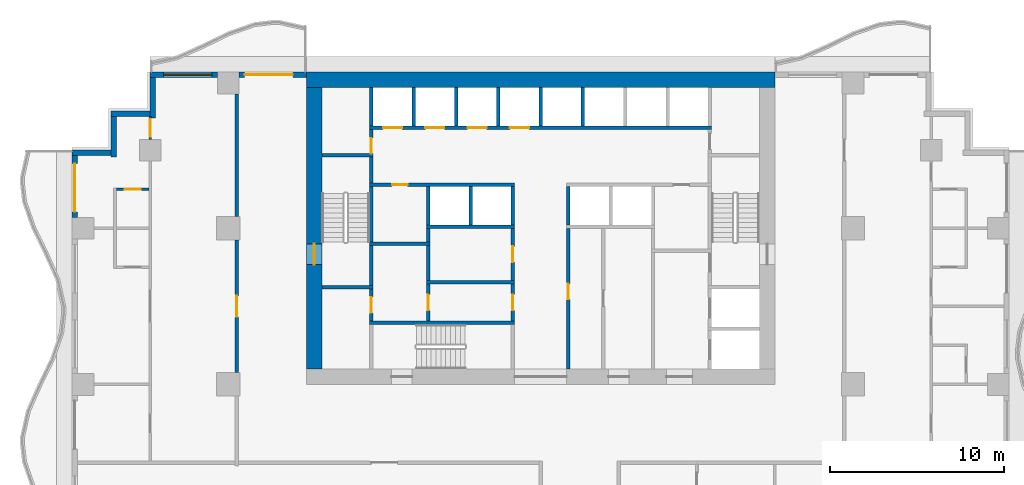
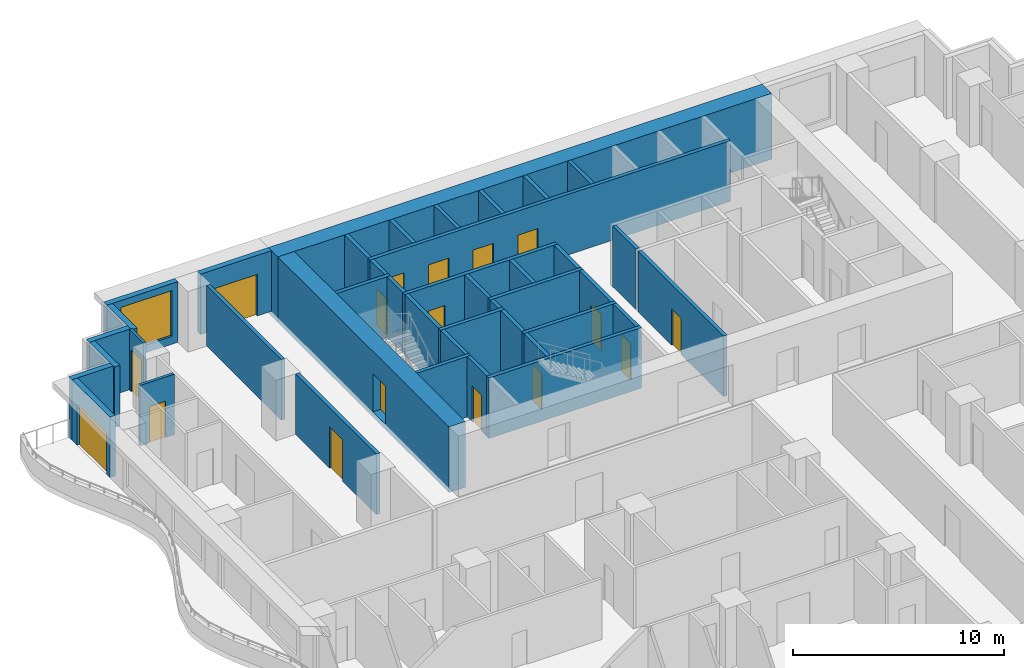
# One storey, part 5 of 14: 42 walls, 17 doors, 1 window, 18 openings.
"""IFC4 building model written with IfcOpenShell, lengths in metres."""

from ifc_helpers import new_model, si_unit, direction, frame, frame_2d, origin, place, context, subcontext, project, spatial, rectangle, extrude, material, layer, layer_set, type_object, element, fill, save


model = new_model("IFC4")

# Units and contexts
model_context = context("Model", 3, precision=1e-05, world=origin(), true_north=direction((0.0, 1.0)))
body_context = subcontext(model_context, "Body", "Model", "MODEL_VIEW")
ifc_project = project(units=[si_unit("LENGTHUNIT", "METRE"), si_unit("AREAUNIT", "SQUARE_METRE"), si_unit("VOLUMEUNIT", "CUBIC_METRE"), si_unit("PLANEANGLEUNIT", "RADIAN"), si_unit("MASSUNIT", "GRAM", prefix="KILO")], contexts=[model_context])

# Site, building, storey
site_placement = place(None, origin())
site = spatial("IfcSite", under=ifc_project, at=site_placement, CompositionType="ELEMENT")
building_placement = place(site_placement, origin())
building = spatial("IfcBuilding", under=site, at=building_placement, Name="Orbiselva Terraces", CompositionType="ELEMENT")
storey_placement = place(building_placement, frame((0.0, 0.0, 111.2)))
storey = spatial("IfcBuildingStorey", under=building, at=storey_placement, Name="L28", CompositionType="ELEMENT", Elevation=111.2)

# Wall, opening, door
ifc_material_1 = material(Name="Concrete C80/95", Category="concrete")
ifc_layer_1 = layer(ifc_material_1, 0.9)
ifc_layer_set_1 = layer_set([ifc_layer_1], Name="Concrete C80/95")
wall_type_1 = type_object("IfcWallType", Name="CORE WALL 900", PredefinedType="SHEAR", material=ifc_layer_set_1)
wall_1_placement = place(storey_placement, frame((-13.05, 21.6, -0.3), z_axis=(0.0, 0.0, 1.0), x_axis=(0.0, -1.0, 0.0)))
wall_1 = element("IfcWall", 1, at=wall_1_placement, inside=storey, type_object=wall_type_1, Name="Core wall L28 west", PredefinedType="SHEAR", context=body_context, shape_type="SweptSolid", body=[
    extrude(rectangle(XDim=16.2, YDim=0.9, at=frame_2d((8.1, 0.0))), origin(), (0.0, 0.0, 1.0), 3.8),
])
opening_1_placement = place(wall_1_placement, frame((9.0, 0.0, 0.3)))
opening_1 = element("IfcOpeningElement", 2, at=opening_1_placement, cuts=wall_1, Name="Opening DS1200", PredefinedType="OPENING", context=body_context, shape_type="SweptSolid", body=[
    extrude(rectangle(XDim=1.2, YDim=2.2, at=frame_2d((0.6, 1.1))), frame((0.0, 0.46, 0.0), z_axis=(0.0, -1.0, 0.0), x_axis=(1.0, 0.0, 0.0)), (0.0, 0.0, 1.0), 0.92),
])
ifc_material_2 = material(Name="Steel fire door", Category="steel")
door_type_1 = type_object("IfcDoorType", Name="STAIR DOOR 1200", OperationType="NOTDEFINED", PredefinedType="DOOR", material=ifc_material_2)
door_1_placement = place(opening_1_placement, frame((1.2, 0.0, 0.0), z_axis=(0.0, 0.0, 1.0), x_axis=(-1.0, 0.0, 0.0)))
door_1 = element("IfcDoor", 3, at=door_1_placement, inside=storey, type_object=door_type_1, Name="L28 EXIT STAIR S1 door", OperationType="SINGLE_SWING_RIGHT", OverallHeight=2.2, OverallWidth=1.2, PredefinedType="DOOR", context=body_context, shape_type="SweptSolid", body=[
    extrude(rectangle(XDim=1.2, YDim=2.2, at=frame_2d((0.6, 1.1))), frame((0.0, 0.025, 0.0), z_axis=(0.0, -1.0, 0.0), x_axis=(1.0, 0.0, 0.0)), (0.0, 0.0, 1.0), 0.05),
])
fill(opening_1, door_1)

# Wall
ifc_layer_2 = layer(ifc_material_1, 0.9)
ifc_layer_set_2 = layer_set([ifc_layer_2], Name="Concrete C80/95")
wall_type_2 = type_object("IfcWallType", Name="CORE WALL 900 EXTERNAL", PredefinedType="SHEAR", material=ifc_layer_set_2)
wall_2_placement = place(storey_placement, frame((13.5, 22.05, -0.3), z_axis=(0.0, 0.0, 1.0), x_axis=(-1.0, 0.0, 0.0)))
element("IfcWall", 4, at=wall_2_placement, inside=storey, type_object=wall_type_2, Name="Core wall L28 north", PredefinedType="SHEAR", context=body_context, shape_type="SweptSolid", body=[
    extrude(rectangle(XDim=27.0, YDim=0.9, at=frame_2d((13.5, 0.0))), origin(), (0.0, 0.0, 1.0), 3.8),
])

# Wall, opening, door
ifc_material_3 = material(Name="Masonry blockwork", Category="masonry")
ifc_layer_3 = layer(ifc_material_3, 0.2)
ifc_layer_set_3 = layer_set([ifc_layer_3], Name="Masonry blockwork")
wall_type_3 = type_object("IfcWallType", Name="CORE-WALL-PARTITION-200", PredefinedType="PARTITIONING", material=ifc_layer_set_3)
wall_3_placement = place(storey_placement, frame((-9.75, 8.15, 0.0), z_axis=(0.0, 0.0, 1.0), x_axis=(0.0, 1.0, 0.0)))
wall_3 = element("IfcWall", 5, at=wall_3_placement, inside=storey, type_object=wall_type_3, Name="L28 core wall 05", PredefinedType="PARTITIONING", context=body_context, shape_type="SweptSolid", body=[
    extrude(rectangle(XDim=1.85, YDim=0.2, at=frame_2d((0.925, 0.0))), origin(), (0.0, 0.0, 1.0), 3.5),
])
opening_2_placement = place(wall_3_placement, frame((0.475, 0.0, 0.0)))
opening_2 = element("IfcOpeningElement", 6, at=opening_2_placement, cuts=wall_3, Name="Opening DR900", PredefinedType="OPENING", context=body_context, shape_type="SweptSolid", body=[
    extrude(rectangle(XDim=0.9, YDim=2.1, at=frame_2d((0.45, 1.05))), frame((0.0, 0.11, 0.0), z_axis=(0.0, -1.0, 0.0), x_axis=(1.0, 0.0, 0.0)), (0.0, 0.0, 1.0), 0.22),
])
door_type_2 = type_object("IfcDoorType", Name="ROOM DOOR 900", OperationType="NOTDEFINED", PredefinedType="DOOR", material=ifc_material_2)
door_2_placement = place(opening_2_placement, origin())
door_2 = element("IfcDoor", 7, at=door_2_placement, inside=storey, type_object=door_type_2, Name="L28 CLEANERS STORE door", OperationType="SINGLE_SWING_RIGHT", OverallHeight=2.1, OverallWidth=0.9, PredefinedType="DOOR", context=body_context, shape_type="SweptSolid", body=[
    extrude(rectangle(XDim=0.9, YDim=2.1, at=frame_2d((0.45, 1.05))), frame((0.0, 0.025, 0.0), z_axis=(0.0, -1.0, 0.0), x_axis=(1.0, 0.0, 0.0)), (0.0, 0.0, 1.0), 0.05),
])
fill(opening_2, door_2)

wall_4_placement = place(storey_placement, frame((-9.75, 17.8, 0.0), z_axis=(0.0, 0.0, 1.0), x_axis=(0.0, 1.0, 0.0)))
wall_4 = element("IfcWall", 8, at=wall_4_placement, inside=storey, type_object=wall_type_3, Name="L28 core wall 11", PredefinedType="PARTITIONING", context=body_context, shape_type="SweptSolid", body=[
    extrude(rectangle(XDim=1.4, YDim=0.2, at=frame_2d((0.7, 0.0))), origin(), (0.0, 0.0, 1.0), 3.5),
])
opening_3_placement = place(wall_4_placement, origin())
opening_3 = element("IfcOpeningElement", 9, at=opening_3_placement, cuts=wall_4, Name="Opening DR900", PredefinedType="OPENING", context=body_context, shape_type="SweptSolid", body=[
    extrude(rectangle(XDim=0.9, YDim=2.1, at=frame_2d((0.45, 1.05))), frame((0.0, 0.11, 0.0), z_axis=(0.0, -1.0, 0.0), x_axis=(1.0, 0.0, 0.0)), (0.0, 0.0, 1.0), 0.22),
])
door_3_placement = place(opening_3_placement, origin())
door_3 = element("IfcDoor", 10, at=door_3_placement, inside=storey, type_object=door_type_2, Name="L28 COMMS RISER ROOM door", OperationType="SINGLE_SWING_LEFT", OverallHeight=2.1, OverallWidth=0.9, PredefinedType="DOOR", context=body_context, shape_type="SweptSolid", body=[
    extrude(rectangle(XDim=0.9, YDim=2.1, at=frame_2d((0.45, 1.05))), frame((0.0, 0.025, 0.0), z_axis=(0.0, -1.0, 0.0), x_axis=(1.0, 0.0, 0.0)), (0.0, 0.0, 1.0), 0.05),
])
fill(opening_3, door_3)

wall_5_placement = place(storey_placement, frame((-6.475, 8.15, 0.0), z_axis=(0.0, 0.0, 1.0), x_axis=(0.0, 1.0, 0.0)))
wall_5 = element("IfcWall", 11, at=wall_5_placement, inside=storey, type_object=wall_type_3, Name="L28 core wall 15", PredefinedType="PARTITIONING", context=body_context, shape_type="SweptSolid", body=[
    extrude(rectangle(XDim=2.15, YDim=0.2, at=frame_2d((1.075, 0.0))), origin(), (0.0, 0.0, 1.0), 3.5),
])
opening_4_placement = place(wall_5_placement, frame((0.625, 0.0, 0.0)))
opening_4 = element("IfcOpeningElement", 12, at=opening_4_placement, cuts=wall_5, Name="Opening DR900", PredefinedType="OPENING", context=body_context, shape_type="SweptSolid", body=[
    extrude(rectangle(XDim=0.9, YDim=2.1, at=frame_2d((0.45, 1.05))), frame((0.0, 0.11, 0.0), z_axis=(0.0, -1.0, 0.0), x_axis=(1.0, 0.0, 0.0)), (0.0, 0.0, 1.0), 0.22),
])
door_4_placement = place(opening_4_placement, origin())
door_4 = element("IfcDoor", 13, at=door_4_placement, inside=storey, type_object=door_type_2, Name="L28 STAFF ROOM door", OperationType="SINGLE_SWING_LEFT", OverallHeight=2.1, OverallWidth=0.9, PredefinedType="DOOR", context=body_context, shape_type="SweptSolid", body=[
    extrude(rectangle(XDim=0.9, YDim=2.1, at=frame_2d((0.45, 1.05))), frame((0.0, 0.025, 0.0), z_axis=(0.0, -1.0, 0.0), x_axis=(1.0, 0.0, 0.0)), (0.0, 0.0, 1.0), 0.05),
])
fill(opening_4, door_4)

# Walls
wall_6_placement = place(storey_placement, frame((-6.475, 10.5, 0.0), z_axis=(0.0, 0.0, 1.0), x_axis=(0.0, 1.0, 0.0)))
element("IfcWall", 14, at=wall_6_placement, inside=storey, type_object=wall_type_3, Name="L28 core wall 17", PredefinedType="PARTITIONING", context=body_context, shape_type="SweptSolid", body=[
    extrude(rectangle(XDim=2.0, YDim=0.2, at=frame_2d((1.0, 0.0))), origin(), (0.0, 0.0, 1.0), 3.5),
])
wall_7_placement = place(storey_placement, frame((-6.475, 12.7, 0.0), z_axis=(0.0, 0.0, 1.0), x_axis=(0.0, 1.0, 0.0)))
element("IfcWall", 15, at=wall_7_placement, inside=storey, type_object=wall_type_3, Name="L28 core wall 18", PredefinedType="PARTITIONING", context=body_context, shape_type="SweptSolid", body=[
    extrude(rectangle(XDim=0.8, YDim=0.2, at=frame_2d((0.4, 0.0))), origin(), (0.0, 0.0, 1.0), 3.5),
])

# Wall, opening, door
wall_8_placement = place(storey_placement, frame((-1.6, 8.15, 0.0), z_axis=(0.0, 0.0, 1.0), x_axis=(0.0, 1.0, 0.0)))
wall_8 = element("IfcWall", 16, at=wall_8_placement, inside=storey, type_object=wall_type_3, Name="L28 core wall 25", PredefinedType="PARTITIONING", context=body_context, shape_type="SweptSolid", body=[
    extrude(rectangle(XDim=2.15, YDim=0.2, at=frame_2d((1.075, 0.0))), origin(), (0.0, 0.0, 1.0), 3.5),
])
opening_5_placement = place(wall_8_placement, frame((0.625, 0.0, 0.0)))
opening_5 = element("IfcOpeningElement", 17, at=opening_5_placement, cuts=wall_8, Name="Opening DR900", PredefinedType="OPENING", context=body_context, shape_type="SweptSolid", body=[
    extrude(rectangle(XDim=0.9, YDim=2.1, at=frame_2d((0.45, 1.05))), frame((0.0, 0.11, 0.0), z_axis=(0.0, -1.0, 0.0), x_axis=(1.0, 0.0, 0.0)), (0.0, 0.0, 1.0), 0.22),
])
door_5_placement = place(opening_5_placement, origin())
door_5 = element("IfcDoor", 18, at=door_5_placement, inside=storey, type_object=door_type_2, Name="L28 SERVICE PANTRY door", OperationType="SINGLE_SWING_LEFT", OverallHeight=2.1, OverallWidth=0.9, PredefinedType="DOOR", context=body_context, shape_type="SweptSolid", body=[
    extrude(rectangle(XDim=0.9, YDim=2.1, at=frame_2d((0.45, 1.05))), frame((0.0, 0.025, 0.0), z_axis=(0.0, -1.0, 0.0), x_axis=(1.0, 0.0, 0.0)), (0.0, 0.0, 1.0), 0.05),
])
fill(opening_5, door_5)

wall_9_placement = place(storey_placement, frame((-1.6, 10.5, 0.0), z_axis=(0.0, 0.0, 1.0), x_axis=(0.0, 1.0, 0.0)))
wall_9 = element("IfcWall", 19, at=wall_9_placement, inside=storey, type_object=wall_type_3, Name="L28 core wall 26", PredefinedType="PARTITIONING", context=body_context, shape_type="SweptSolid", body=[
    extrude(rectangle(XDim=3.0, YDim=0.2, at=frame_2d((1.5, 0.0))), origin(), (0.0, 0.0, 1.0), 3.5),
])
opening_6_placement = place(wall_9_placement, frame((1.05, 0.0, 0.0)))
opening_6 = element("IfcOpeningElement", 20, at=opening_6_placement, cuts=wall_9, Name="Opening DR900", PredefinedType="OPENING", context=body_context, shape_type="SweptSolid", body=[
    extrude(rectangle(XDim=0.9, YDim=2.1, at=frame_2d((0.45, 1.05))), frame((0.0, 0.11, 0.0), z_axis=(0.0, -1.0, 0.0), x_axis=(1.0, 0.0, 0.0)), (0.0, 0.0, 1.0), 0.22),
])
door_6_placement = place(opening_6_placement, origin())
door_6 = element("IfcDoor", 21, at=door_6_placement, inside=storey, type_object=door_type_2, Name="L28 LINEN STORE door", OperationType="SINGLE_SWING_RIGHT", OverallHeight=2.1, OverallWidth=0.9, PredefinedType="DOOR", context=body_context, shape_type="SweptSolid", body=[
    extrude(rectangle(XDim=0.9, YDim=2.1, at=frame_2d((0.45, 1.05))), frame((0.0, 0.025, 0.0), z_axis=(0.0, -1.0, 0.0), x_axis=(1.0, 0.0, 0.0)), (0.0, 0.0, 1.0), 0.05),
])
fill(opening_6, door_6)

# Walls
ifc_material_4 = material(Name="Concrete C40/50", Category="concrete")
ifc_layer_4 = layer(ifc_material_4, 0.2)
ifc_layer_set_4 = layer_set([ifc_layer_4], Name="Concrete C40/50")
wall_type_4 = type_object("IfcWallType", Name="CORE-WALL-SHAFT-200", PredefinedType="PARTITIONING", material=ifc_layer_set_4)
for number, where, z_axis, x_axis, name in (
    (22, (-9.75, 19.4, 0.0), (0.0, 0.0, 1.0), (0.0, 1.0, 0.0), "L28 core wall 13"),
    (23, (-7.3125, 19.4, 0.0), (0.0, 0.0, 1.0), (0.0, 1.0, 0.0), "L28 core wall 14"),
    (24, (-6.475, 13.7, 0.0), (0.0, 0.0, 1.0), (0.0, 1.0, 0.0), "L28 core wall 20"),
    (25, (-4.875, 19.4, 0.0), (0.0, 0.0, 1.0), (0.0, 1.0, 0.0), "L28 core wall 21"),
    (26, (-4.0375, 13.7, 0.0), (0.0, 0.0, 1.0), (0.0, 1.0, 0.0), "L28 core wall 22"),
    (27, (-2.4375, 19.4, 0.0), (0.0, 0.0, 1.0), (0.0, 1.0, 0.0), "L28 core wall 23"),
    (28, (-1.6, 13.7, 0.0), (0.0, 0.0, 1.0), (0.0, 1.0, 0.0), "L28 core wall 27"),
    (29, (0.0, 19.4, 0.0), (0.0, 0.0, 1.0), (0.0, 1.0, 0.0), "L28 core wall 28"),
    (30, (1.6, 13.7, 0.0), (0.0, 0.0, 1.0), (0.0, 1.0, 0.0), "L28 core wall 31"),
    (31, (2.4375, 19.4, 0.0), (0.0, 0.0, 1.0), (0.0, 1.0, 0.0), "L28 core wall 33"),
):
    element("IfcWall", number, at=place(storey_placement, frame(where, z_axis=z_axis, x_axis=x_axis)), inside=storey, type_object=wall_type_4, Name=name, PredefinedType="PARTITIONING", context=body_context, shape_type="SweptSolid", body=[
        extrude(rectangle(XDim=2.2, YDim=0.2, at=frame_2d((1.1, 0.0))), origin(), (0.0, 0.0, 1.0), 3.5),
    ])
ifc_material_5 = material(Name="Concrete C60/75", Category="concrete")
ifc_layer_5 = layer(ifc_material_5, 0.2)
ifc_layer_set_5 = layer_set([ifc_layer_5], Name="Concrete C60/75")
wall_type_5 = type_object("IfcWallType", Name="CORE-WALL-SHEAR-200", PredefinedType="SHEAR", material=ifc_layer_set_5)
for number, where, z_axis, x_axis, name in (
    (32, (-12.6, 10.1, 0.0), (0.0, 0.0, 1.0), (1.0, 0.0, 0.0), "L28 core wall 01"),
    (33, (-12.6, 17.7, 0.0), (0.0, 0.0, 1.0), (1.0, 0.0, 0.0), "L28 core wall 02"),
):
    element("IfcWall", number, at=place(storey_placement, frame(where, z_axis=z_axis, x_axis=x_axis)), inside=storey, type_object=wall_type_5, Name=name, PredefinedType="SHEAR", context=body_context, shape_type="SweptSolid", body=[
        extrude(rectangle(XDim=2.95, YDim=0.2, at=frame_2d((1.475, 0.0))), origin(), (0.0, 0.0, 1.0), 3.5),
    ])
wall_10_placement = place(storey_placement, frame((-9.85, 8.05, 0.0), z_axis=(0.0, 0.0, 1.0), x_axis=(1.0, 0.0, 0.0)))
element("IfcWall", 34, at=wall_10_placement, inside=storey, type_object=wall_type_5, Name="L28 core wall 04", PredefinedType="SHEAR", context=body_context, shape_type="SweptSolid", body=[
    extrude(rectangle(XDim=8.35, YDim=0.2, at=frame_2d((4.175, 0.0))), origin(), (0.0, 0.0, 1.0), 3.5),
])
wall_11_placement = place(storey_placement, frame((-9.75, 10.2, 0.0), z_axis=(0.0, 0.0, 1.0), x_axis=(0.0, 1.0, 0.0)))
element("IfcWall", 35, at=wall_11_placement, inside=storey, type_object=wall_type_5, Name="L28 core wall 06", PredefinedType="SHEAR", context=body_context, shape_type="SweptSolid", body=[
    extrude(rectangle(XDim=2.3, YDim=0.2, at=frame_2d((1.15, 0.0))), origin(), (0.0, 0.0, 1.0), 3.5),
])
wall_12_placement = place(storey_placement, frame((-9.85, 12.6, 0.0), z_axis=(0.0, 0.0, 1.0), x_axis=(1.0, 0.0, 0.0)))
element("IfcWall", 36, at=wall_12_placement, inside=storey, type_object=wall_type_5, Name="L28 core wall 07", PredefinedType="SHEAR", context=body_context, shape_type="SweptSolid", body=[
    extrude(rectangle(XDim=3.475, YDim=0.2, at=frame_2d((1.7375, 0.0))), origin(), (0.0, 0.0, 1.0), 3.5),
])
wall_13_placement = place(storey_placement, frame((-9.75, 12.7, 0.0), z_axis=(0.0, 0.0, 1.0), x_axis=(0.0, 1.0, 0.0)))
element("IfcWall", 37, at=wall_13_placement, inside=storey, type_object=wall_type_5, Name="L28 core wall 08", PredefinedType="SHEAR", context=body_context, shape_type="SweptSolid", body=[
    extrude(rectangle(XDim=3.2, YDim=0.2, at=frame_2d((1.6, 0.0))), origin(), (0.0, 0.0, 1.0), 3.5),
])

# Wall, opening, door
wall_14_placement = place(storey_placement, frame((-1.5, 16.0, 0.0), z_axis=(0.0, 0.0, 1.0), x_axis=(-1.0, 0.0, 0.0)))
wall_14 = element("IfcWall", 38, at=wall_14_placement, inside=storey, type_object=wall_type_5, Name="L28 core wall 09", PredefinedType="SHEAR", context=body_context, shape_type="SweptSolid", body=[
    extrude(rectangle(XDim=8.35, YDim=0.2, at=frame_2d((4.175, 0.0))), origin(), (0.0, 0.0, 1.0), 3.5),
])
opening_7_placement = place(wall_14_placement, frame((6.1625, 0.0, 0.0)))
opening_7 = element("IfcOpeningElement", 39, at=opening_7_placement, cuts=wall_14, Name="Opening DR900", PredefinedType="OPENING", context=body_context, shape_type="SweptSolid", body=[
    extrude(rectangle(XDim=0.9, YDim=2.1, at=frame_2d((0.45, 1.05))), frame((0.0, 0.11, 0.0), z_axis=(0.0, -1.0, 0.0), x_axis=(1.0, 0.0, 0.0)), (0.0, 0.0, 1.0), 0.22),
])
door_7_placement = place(opening_7_placement, origin())
door_7 = element("IfcDoor", 40, at=door_7_placement, inside=storey, type_object=door_type_2, Name="L28 IT ROOM door", OperationType="SINGLE_SWING_RIGHT", OverallHeight=2.1, OverallWidth=0.9, PredefinedType="DOOR", context=body_context, shape_type="SweptSolid", body=[
    extrude(rectangle(XDim=0.9, YDim=2.1, at=frame_2d((0.45, 1.05))), frame((0.0, 0.025, 0.0), z_axis=(0.0, -1.0, 0.0), x_axis=(1.0, 0.0, 0.0)), (0.0, 0.0, 1.0), 0.05),
])
fill(opening_7, door_7)

# Wall
wall_15_placement = place(storey_placement, frame((-9.75, 16.1, 0.0), z_axis=(0.0, 0.0, 1.0), x_axis=(0.0, 1.0, 0.0)))
element("IfcWall", 41, at=wall_15_placement, inside=storey, type_object=wall_type_5, Name="L28 core wall 10", PredefinedType="SHEAR", context=body_context, shape_type="SweptSolid", body=[
    extrude(rectangle(XDim=1.5, YDim=0.2, at=frame_2d((0.75, 0.0))), origin(), (0.0, 0.0, 1.0), 3.5),
])

# Wall, openings, doors
wall_16_placement = place(storey_placement, frame((-9.85, 19.3, 0.0), z_axis=(0.0, 0.0, 1.0), x_axis=(1.0, 0.0, 0.0)))
wall_16 = element("IfcWall", 42, at=wall_16_placement, inside=storey, type_object=wall_type_5, Name="L28 core wall 12", PredefinedType="SHEAR", context=body_context, shape_type="SweptSolid", body=[
    extrude(rectangle(XDim=19.7, YDim=0.2, at=frame_2d((9.85, 0.0))), origin(), (0.0, 0.0, 1.0), 3.5),
])
opening_8_placement = place(wall_16_placement, frame((0.76875, 0.0, 0.0)))
opening_8 = element("IfcOpeningElement", 43, at=opening_8_placement, cuts=wall_16, Name="Opening LD-LR1", PredefinedType="OPENING", context=body_context, shape_type="SweptSolid", body=[
    extrude(rectangle(XDim=1.1, YDim=2.1, at=frame_2d((0.55, 1.05))), frame((0.0, 0.11, 0.0), z_axis=(0.0, -1.0, 0.0), x_axis=(1.0, 0.0, 0.0)), (0.0, 0.0, 1.0), 0.22),
])
opening_9_placement = place(wall_16_placement, frame((3.20625, 0.0, 0.0)))
opening_9 = element("IfcOpeningElement", 44, at=opening_9_placement, cuts=wall_16, Name="Opening LD-LR2", PredefinedType="OPENING", context=body_context, shape_type="SweptSolid", body=[
    extrude(rectangle(XDim=1.1, YDim=2.1, at=frame_2d((0.55, 1.05))), frame((0.0, 0.11, 0.0), z_axis=(0.0, -1.0, 0.0), x_axis=(1.0, 0.0, 0.0)), (0.0, 0.0, 1.0), 0.22),
])
opening_10_placement = place(wall_16_placement, frame((5.64375, 0.0, 0.0)))
opening_10 = element("IfcOpeningElement", 45, at=opening_10_placement, cuts=wall_16, Name="Opening LD-LR3", PredefinedType="OPENING", context=body_context, shape_type="SweptSolid", body=[
    extrude(rectangle(XDim=1.1, YDim=2.1, at=frame_2d((0.55, 1.05))), frame((0.0, 0.11, 0.0), z_axis=(0.0, -1.0, 0.0), x_axis=(1.0, 0.0, 0.0)), (0.0, 0.0, 1.0), 0.22),
])
opening_11_placement = place(wall_16_placement, frame((8.08125, 0.0, 0.0)))
opening_11 = element("IfcOpeningElement", 46, at=opening_11_placement, cuts=wall_16, Name="Opening LD-LR4", PredefinedType="OPENING", context=body_context, shape_type="SweptSolid", body=[
    extrude(rectangle(XDim=1.1, YDim=2.1, at=frame_2d((0.55, 1.05))), frame((0.0, 0.11, 0.0), z_axis=(0.0, -1.0, 0.0), x_axis=(1.0, 0.0, 0.0)), (0.0, 0.0, 1.0), 0.22),
])
ifc_material_6 = material(Name="Stainless steel landing door", Category="steel")
door_type_3 = type_object("IfcDoorType", Name="LANDING DOOR 1100", OperationType="SLIDING_TO_LEFT", PredefinedType="DOOR", material=ifc_material_6)
door_8_placement = place(opening_8_placement, origin())
door_8 = element("IfcDoor", 47, at=door_8_placement, inside=storey, type_object=door_type_3, Name="L28 landing door LR1", OperationType="SLIDING_TO_LEFT", OverallHeight=2.1, OverallWidth=1.1, PredefinedType="DOOR", context=body_context, shape_type="SweptSolid", body=[
    extrude(rectangle(XDim=1.1, YDim=2.1, at=frame_2d((0.55, 1.05))), frame((0.0, 0.025, 0.0), z_axis=(0.0, -1.0, 0.0), x_axis=(1.0, 0.0, 0.0)), (0.0, 0.0, 1.0), 0.05),
])
fill(opening_8, door_8)
door_9_placement = place(opening_9_placement, origin())
door_9 = element("IfcDoor", 48, at=door_9_placement, inside=storey, type_object=door_type_3, Name="L28 landing door LR2", OperationType="SLIDING_TO_LEFT", OverallHeight=2.1, OverallWidth=1.1, PredefinedType="DOOR", context=body_context, shape_type="SweptSolid", body=[
    extrude(rectangle(XDim=1.1, YDim=2.1, at=frame_2d((0.55, 1.05))), frame((0.0, 0.025, 0.0), z_axis=(0.0, -1.0, 0.0), x_axis=(1.0, 0.0, 0.0)), (0.0, 0.0, 1.0), 0.05),
])
fill(opening_9, door_9)
door_10_placement = place(opening_10_placement, origin())
door_10 = element("IfcDoor", 49, at=door_10_placement, inside=storey, type_object=door_type_3, Name="L28 landing door LR3", OperationType="SLIDING_TO_LEFT", OverallHeight=2.1, OverallWidth=1.1, PredefinedType="DOOR", context=body_context, shape_type="SweptSolid", body=[
    extrude(rectangle(XDim=1.1, YDim=2.1, at=frame_2d((0.55, 1.05))), frame((0.0, 0.025, 0.0), z_axis=(0.0, -1.0, 0.0), x_axis=(1.0, 0.0, 0.0)), (0.0, 0.0, 1.0), 0.05),
])
fill(opening_10, door_10)
door_11_placement = place(opening_11_placement, origin())
door_11 = element("IfcDoor", 50, at=door_11_placement, inside=storey, type_object=door_type_3, Name="L28 landing door LR4", OperationType="SLIDING_TO_LEFT", OverallHeight=2.1, OverallWidth=1.1, PredefinedType="DOOR", context=body_context, shape_type="SweptSolid", body=[
    extrude(rectangle(XDim=1.1, YDim=2.1, at=frame_2d((0.55, 1.05))), frame((0.0, 0.025, 0.0), z_axis=(0.0, -1.0, 0.0), x_axis=(1.0, 0.0, 0.0)), (0.0, 0.0, 1.0), 0.05),
])
fill(opening_11, door_11)

# Walls
for number, where, z_axis, x_axis, name in (
    (51, (-6.575, 10.4, 0.0), (0.0, 0.0, 1.0), (1.0, 0.0, 0.0), "L28 core wall 16"),
    (52, (-6.575, 13.6, 0.0), (0.0, 0.0, 1.0), (1.0, 0.0, 0.0), "L28 core wall 19"),
):
    element("IfcWall", number, at=place(storey_placement, frame(where, z_axis=z_axis, x_axis=x_axis)), inside=storey, type_object=wall_type_5, Name=name, PredefinedType="SHEAR", context=body_context, shape_type="SweptSolid", body=[
        extrude(rectangle(XDim=5.075, YDim=0.2, at=frame_2d((2.5375, 0.0))), origin(), (0.0, 0.0, 1.0), 3.5),
    ])

# Wall, opening, door
wall_17_placement = place(storey_placement, frame((1.6, 13.5, 0.0), z_axis=(0.0, 0.0, 1.0), x_axis=(0.0, -1.0, 0.0)))
wall_17 = element("IfcWall", 53, at=wall_17_placement, inside=storey, type_object=wall_type_5, Name="L28 core wall 29", PredefinedType="SHEAR", context=body_context, shape_type="SweptSolid", body=[
    extrude(rectangle(XDim=8.1, YDim=0.2, at=frame_2d((4.05, 0.0))), origin(), (0.0, 0.0, 1.0), 3.5),
])
opening_12_placement = place(wall_17_placement, frame((3.2, 0.0, 0.0)))
opening_12 = element("IfcOpeningElement", 54, at=opening_12_placement, cuts=wall_17, Name="Opening DR900", PredefinedType="OPENING", context=body_context, shape_type="SweptSolid", body=[
    extrude(rectangle(XDim=0.9, YDim=2.1, at=frame_2d((0.45, 1.05))), frame((0.0, 0.11, 0.0), z_axis=(0.0, -1.0, 0.0), x_axis=(1.0, 0.0, 0.0)), (0.0, 0.0, 1.0), 0.22),
])
door_12_placement = place(opening_12_placement, origin())
door_12 = element("IfcDoor", 55, at=door_12_placement, inside=storey, type_object=door_type_2, Name="L28 COMMS ROOM door", OperationType="SINGLE_SWING_LEFT", OverallHeight=2.1, OverallWidth=0.9, PredefinedType="DOOR", context=body_context, shape_type="SweptSolid", body=[
    extrude(rectangle(XDim=0.9, YDim=2.1, at=frame_2d((0.45, 1.05))), frame((0.0, 0.025, 0.0), z_axis=(0.0, -1.0, 0.0), x_axis=(1.0, 0.0, 0.0)), (0.0, 0.0, 1.0), 0.05),
])
fill(opening_12, door_12)

ifc_material_7 = material(Name="Terracotta cladding on masonry backing", Category="masonry")
ifc_layer_6 = layer(ifc_material_7, 0.3)
ifc_layer_set_6 = layer_set([ifc_layer_6], Name="Terracotta cladding on masonry backing")
wall_type_6 = type_object("IfcWallType", Name="ENV-WALL-TERRACOTTA-300", PredefinedType="SOLIDWALL", material=ifc_layer_set_6)
wall_18_placement = place(storey_placement, frame((-17.375, 22.35, 0.0), z_axis=(0.0, 0.0, 1.0), x_axis=(1.0, 0.0, 0.0)))
wall_18 = element("IfcWall", 56, at=wall_18_placement, inside=storey, type_object=wall_type_6, Name="Facade wall L28 NW", PredefinedType="SOLIDWALL", context=body_context, shape_type="SweptSolid", body=[
    extrude(rectangle(XDim=3.875, YDim=0.3, at=frame_2d((1.9375, 0.0))), origin(), (0.0, 0.0, 1.0), 3.5),
])
opening_13_placement = place(wall_18_placement, frame((0.325, 0.0, 0.0)))
opening_13 = element("IfcOpeningElement", 57, at=opening_13_placement, cuts=wall_18, Name="Opening Z2-D-E16", PredefinedType="OPENING", context=body_context, shape_type="SweptSolid", body=[
    extrude(rectangle(XDim=2.775, YDim=2.4, at=frame_2d((1.3875, 1.2))), frame((0.0, 0.16, 0.0), z_axis=(0.0, -1.0, 0.0), x_axis=(1.0, 0.0, 0.0)), (0.0, 0.0, 1.0), 0.32),
])
ifc_material_8 = material(Name="Clear low-e glazing in aluminium frame", Category="aluminium")
door_type_4 = type_object("IfcDoorType", Name="BALCONY DOOR 2775 X 2400", OperationType="DOUBLE_DOOR_SLIDING", PredefinedType="DOOR", material=ifc_material_8)
door_13_placement = place(opening_13_placement, origin())
door_13 = element("IfcDoor", 58, at=door_13_placement, inside=storey, type_object=door_type_4, Name="Z2-D-E16", OperationType="SINGLE_SWING_LEFT", OverallHeight=2.4, OverallWidth=2.775, PredefinedType="DOOR", context=body_context, shape_type="SweptSolid", body=[
    extrude(rectangle(XDim=2.775, YDim=2.4, at=frame_2d((1.3875, 1.2))), frame((0.0, 0.025, 0.0), z_axis=(0.0, -1.0, 0.0), x_axis=(1.0, 0.0, 0.0)), (0.0, 0.0, 1.0), 0.05),
])
fill(opening_13, door_13)

# Wall, opening, window
wall_19_placement = place(storey_placement, frame((-22.5, 22.35, 0.0), z_axis=(0.0, 0.0, 1.0), x_axis=(1.0, 0.0, 0.0)))
wall_19 = element("IfcWall", 59, at=wall_19_placement, inside=storey, type_object=wall_type_6, Name="Facade wall L28 NW", PredefinedType="SOLIDWALL", context=body_context, shape_type="SweptSolid", body=[
    extrude(rectangle(XDim=3.875, YDim=0.3, at=frame_2d((1.9375, 0.0))), origin(), (0.0, 0.0, 1.0), 3.5),
])
opening_14_placement = place(wall_19_placement, frame((0.775, 0.0, 0.45)))
opening_14 = element("IfcOpeningElement", 60, at=opening_14_placement, cuts=wall_19, Name="Opening WN6", PredefinedType="OPENING", context=body_context, shape_type="SweptSolid", body=[
    extrude(rectangle(XDim=2.775, YDim=2.65, at=frame_2d((1.3875, 1.325))), frame((0.0, 0.16, 0.0), z_axis=(0.0, -1.0, 0.0), x_axis=(1.0, 0.0, 0.0)), (0.0, 0.0, 1.0), 0.32),
])
window_type = type_object("IfcWindowType", Name="WINDOW 2775 X 2650 S450", PartitioningType="TRIPLE_PANEL_VERTICAL", PredefinedType="WINDOW", material=ifc_material_8)
window_placement = place(opening_14_placement, origin())
window = element("IfcWindow", 61, at=window_placement, inside=storey, type_object=window_type, Name="Window L28 NW", OverallHeight=2.65, OverallWidth=2.775, PartitioningType="SINGLE_PANEL", PredefinedType="WINDOW", context=body_context, shape_type="SweptSolid", body=[
    extrude(rectangle(XDim=2.775, YDim=2.65, at=frame_2d((1.3875, 1.325))), frame((0.0, 0.03, 0.0), z_axis=(0.0, -1.0, 0.0), x_axis=(1.0, 0.0, 0.0)), (0.0, 0.0, 1.0), 0.06),
])
fill(opening_14, window)

# Walls
wall_20_placement = place(storey_placement, frame((-22.35, 19.85, 0.0), z_axis=(0.0, 0.0, 1.0), x_axis=(0.0, 1.0, 0.0)))
element("IfcWall", 62, at=wall_20_placement, inside=storey, type_object=wall_type_6, Name="Facade wall L28 STEP", PredefinedType="SOLIDWALL", context=body_context, shape_type="SweptSolid", body=[
    extrude(rectangle(XDim=2.35, YDim=0.3, at=frame_2d((1.175, 0.0))), origin(), (0.0, 0.0, 1.0), 3.5),
])
wall_21_placement = place(storey_placement, frame((-24.75, 20.1, 0.0), z_axis=(0.0, 0.0, 1.0), x_axis=(1.0, 0.0, 0.0)))
element("IfcWall", 63, at=wall_21_placement, inside=storey, type_object=wall_type_6, Name="Facade wall L28 STEP", PredefinedType="SOLIDWALL", context=body_context, shape_type="SweptSolid", body=[
    extrude(rectangle(XDim=2.25, YDim=0.3, at=frame_2d((1.125, 0.0))), origin(), (0.0, 0.0, 1.0), 3.5),
])
wall_22_placement = place(storey_placement, frame((-24.6, 17.6, 0.0), z_axis=(0.0, 0.0, 1.0), x_axis=(0.0, 1.0, 0.0)))
element("IfcWall", 64, at=wall_22_placement, inside=storey, type_object=wall_type_6, Name="Facade wall L28 STEP", PredefinedType="SOLIDWALL", context=body_context, shape_type="SweptSolid", body=[
    extrude(rectangle(XDim=2.35, YDim=0.3, at=frame_2d((1.175, 0.0))), origin(), (0.0, 0.0, 1.0), 3.5),
])
wall_23_placement = place(storey_placement, frame((-27.0, 17.85, 0.0), z_axis=(0.0, 0.0, 1.0), x_axis=(1.0, 0.0, 0.0)))
element("IfcWall", 65, at=wall_23_placement, inside=storey, type_object=wall_type_6, Name="Facade wall L28 STEP", PredefinedType="SOLIDWALL", context=body_context, shape_type="SweptSolid", body=[
    extrude(rectangle(XDim=2.25, YDim=0.3, at=frame_2d((1.125, 0.0))), origin(), (0.0, 0.0, 1.0), 3.5),
])

# Wall, opening, door
wall_24_placement = place(storey_placement, frame((-26.85, 14.125, 0.0), z_axis=(0.0, 0.0, 1.0), x_axis=(0.0, 1.0, 0.0)))
wall_24 = element("IfcWall", 66, at=wall_24_placement, inside=storey, type_object=wall_type_6, Name="Facade wall L28 W", PredefinedType="SOLIDWALL", context=body_context, shape_type="SweptSolid", body=[
    extrude(rectangle(XDim=3.575, YDim=0.3, at=frame_2d((1.7875, 0.0))), origin(), (0.0, 0.0, 1.0), 3.5),
])
opening_15_placement = place(wall_24_placement, frame((0.325, 0.0, 0.0)))
opening_15 = element("IfcOpeningElement", 67, at=opening_15_placement, cuts=wall_24, Name="Opening Z2-D-E17", PredefinedType="OPENING", context=body_context, shape_type="SweptSolid", body=[
    extrude(rectangle(XDim=2.775, YDim=2.4, at=frame_2d((1.3875, 1.2))), frame((0.0, 0.16, 0.0), z_axis=(0.0, -1.0, 0.0), x_axis=(1.0, 0.0, 0.0)), (0.0, 0.0, 1.0), 0.32),
])
door_14_placement = place(opening_15_placement, origin())
door_14 = element("IfcDoor", 68, at=door_14_placement, inside=storey, type_object=door_type_4, Name="Z2-D-E17", OperationType="SINGLE_SWING_LEFT", OverallHeight=2.4, OverallWidth=2.775, PredefinedType="DOOR", context=body_context, shape_type="SweptSolid", body=[
    extrude(rectangle(XDim=2.775, YDim=2.4, at=frame_2d((1.3875, 1.2))), frame((0.0, 0.025, 0.0), z_axis=(0.0, -1.0, 0.0), x_axis=(1.0, 0.0, 0.0)), (0.0, 0.0, 1.0), 0.05),
])
fill(opening_15, door_14)

ifc_material_9 = material(Name="Plasterboard on steel stud partition", Category="steel")
ifc_layer_7 = layer(ifc_material_9, 0.2)
ifc_layer_set_7 = layer_set([ifc_layer_7], Name="Plasterboard on steel stud partition")
wall_type_7 = type_object("IfcWallType", Name="UNIT-ENTRANCE-WALL-200", PredefinedType="PARTITIONING", material=ifc_layer_set_7)
wall_25_placement = place(storey_placement, frame((-17.5, 5.175, 0.0), z_axis=(0.0, 0.0, 1.0), x_axis=(0.0, 1.0, 0.0)))
wall_25 = element("IfcWall", 69, at=wall_25_placement, inside=storey, type_object=wall_type_7, Name="PARTITION L28-056", PredefinedType="PARTITIONING", context=body_context, shape_type="SweptSolid", body=[
    extrude(rectangle(XDim=7.65, YDim=0.2, at=frame_2d((3.825, 0.0))), origin(), (0.0, 0.0, 1.0), 3.5),
])
opening_16_placement = place(wall_25_placement, frame((3.225, 0.0, 0.0)))
opening_16 = element("IfcOpeningElement", 70, at=opening_16_placement, cuts=wall_25, Name="Opening Z2-D-01", PredefinedType="OPENING", context=body_context, shape_type="SweptSolid", body=[
    extrude(rectangle(XDim=1.2, YDim=2.4, at=frame_2d((0.6, 1.2))), frame((0.0, 0.11, 0.0), z_axis=(0.0, -1.0, 0.0), x_axis=(1.0, 0.0, 0.0)), (0.0, 0.0, 1.0), 0.22),
])
ifc_material_10 = material(Name="Painted timber door leaf", Category="wood")
door_type_5 = type_object("IfcDoorType", Name="ENTRANCE DOOR 1200", OperationType="NOTDEFINED", PredefinedType="DOOR", material=ifc_material_10)
door_15_placement = place(opening_16_placement, origin())
door_15 = element("IfcDoor", 71, at=door_15_placement, inside=storey, type_object=door_type_5, Name="Z2-D-01", OperationType="SINGLE_SWING_RIGHT", OverallHeight=2.4, OverallWidth=1.2, PredefinedType="DOOR", context=body_context, shape_type="SweptSolid", body=[
    extrude(rectangle(XDim=1.2, YDim=2.4, at=frame_2d((0.6, 1.2))), frame((0.0, 0.025, 0.0), z_axis=(0.0, -1.0, 0.0), x_axis=(1.0, 0.0, 0.0)), (0.0, 0.0, 1.0), 0.05),
])
fill(opening_16, door_15)

# Wall
wall_26_placement = place(storey_placement, frame((-17.5, 14.175, 0.0), z_axis=(0.0, 0.0, 1.0), x_axis=(0.0, 1.0, 0.0)))
element("IfcWall", 72, at=wall_26_placement, inside=storey, type_object=wall_type_7, Name="PARTITION L28-057", PredefinedType="PARTITIONING", context=body_context, shape_type="SweptSolid", body=[
    extrude(rectangle(XDim=7.075, YDim=0.2, at=frame_2d((3.5375, 0.0))), origin(), (0.0, 0.0, 1.0), 3.5),
])

# Wall, opening, door
ifc_layer_8 = layer(ifc_material_9, 0.15)
ifc_layer_set_8 = layer_set([ifc_layer_8], Name="Plasterboard on steel stud partition")
wall_type_8 = type_object("IfcWallType", Name="UNIT-PARTITION-150", PredefinedType="PARTITIONING", material=ifc_layer_set_8)
wall_27_placement = place(storey_placement, frame((-22.575, 15.75, 0.0), z_axis=(0.0, 0.0, 1.0), x_axis=(-1.0, 0.0, 0.0)))
wall_27 = element("IfcWall", 73, at=wall_27_placement, inside=storey, type_object=wall_type_8, Name="PARTITION L28-043", PredefinedType="PARTITIONING", context=body_context, shape_type="SweptSolid", body=[
    extrude(rectangle(XDim=1.875, YDim=0.15, at=frame_2d((0.9375, 0.0))), origin(), (0.0, 0.0, 1.0), 3.5),
])
opening_17_placement = place(wall_27_placement, frame((0.475, 0.0, 0.0)))
opening_17 = element("IfcOpeningElement", 74, at=opening_17_placement, cuts=wall_27, Name="Opening Z2-D-06", PredefinedType="OPENING", context=body_context, shape_type="SweptSolid", body=[
    extrude(rectangle(XDim=0.9, YDim=2.1, at=frame_2d((0.45, 1.05))), frame((0.0, 0.085, 0.0), z_axis=(0.0, -1.0, 0.0), x_axis=(1.0, 0.0, 0.0)), (0.0, 0.0, 1.0), 0.17),
])
door_type_6 = type_object("IfcDoorType", Name="BATH DOOR 900", OperationType="NOTDEFINED", PredefinedType="DOOR", material=ifc_material_10)
door_16_placement = place(opening_17_placement, origin())
door_16 = element("IfcDoor", 75, at=door_16_placement, inside=storey, type_object=door_type_6, Name="Z2-D-06", OperationType="SINGLE_SWING_LEFT", OverallHeight=2.1, OverallWidth=0.9, PredefinedType="DOOR", context=body_context, shape_type="SweptSolid", body=[
    extrude(rectangle(XDim=0.9, YDim=2.1, at=frame_2d((0.45, 1.05))), frame((0.0, 0.025, 0.0), z_axis=(0.0, -1.0, 0.0), x_axis=(1.0, 0.0, 0.0)), (0.0, 0.0, 1.0), 0.05),
])
fill(opening_17, door_16)

wall_28_placement = place(storey_placement, frame((-22.5, 18.625, 0.0), z_axis=(0.0, 0.0, 1.0), x_axis=(0.0, 1.0, 0.0)))
wall_28 = element("IfcWall", 76, at=wall_28_placement, inside=storey, type_object=wall_type_8, Name="PARTITION L28-051", PredefinedType="PARTITIONING", context=body_context, shape_type="SweptSolid", body=[
    extrude(rectangle(XDim=1.325, YDim=0.15, at=frame_2d((0.6625, 0.0))), origin(), (0.0, 0.0, 1.0), 3.5),
])
opening_18_placement = place(wall_28_placement, frame((0.15, 0.0, 0.0)))
opening_18 = element("IfcOpeningElement", 77, at=opening_18_placement, cuts=wall_28, Name="Opening Z2-D-05", PredefinedType="OPENING", context=body_context, shape_type="SweptSolid", body=[
    extrude(rectangle(XDim=1.0, YDim=2.4, at=frame_2d((0.5, 1.2))), frame((0.0, 0.085, 0.0), z_axis=(0.0, -1.0, 0.0), x_axis=(1.0, 0.0, 0.0)), (0.0, 0.0, 1.0), 0.17),
])
door_type_7 = type_object("IfcDoorType", Name="ROOM DOOR 1000", OperationType="NOTDEFINED", PredefinedType="DOOR", material=ifc_material_10)
door_17_placement = place(opening_18_placement, origin())
door_17 = element("IfcDoor", 78, at=door_17_placement, inside=storey, type_object=door_type_7, Name="Z2-D-05", OperationType="SINGLE_SWING_LEFT", OverallHeight=2.4, OverallWidth=1.0, PredefinedType="DOOR", context=body_context, shape_type="SweptSolid", body=[
    extrude(rectangle(XDim=1.0, YDim=2.4, at=frame_2d((0.5, 1.2))), frame((0.0, 0.025, 0.0), z_axis=(0.0, -1.0, 0.0), x_axis=(1.0, 0.0, 0.0)), (0.0, 0.0, 1.0), 0.05),
])
fill(opening_18, door_17)

save(model, "model.ifc")
